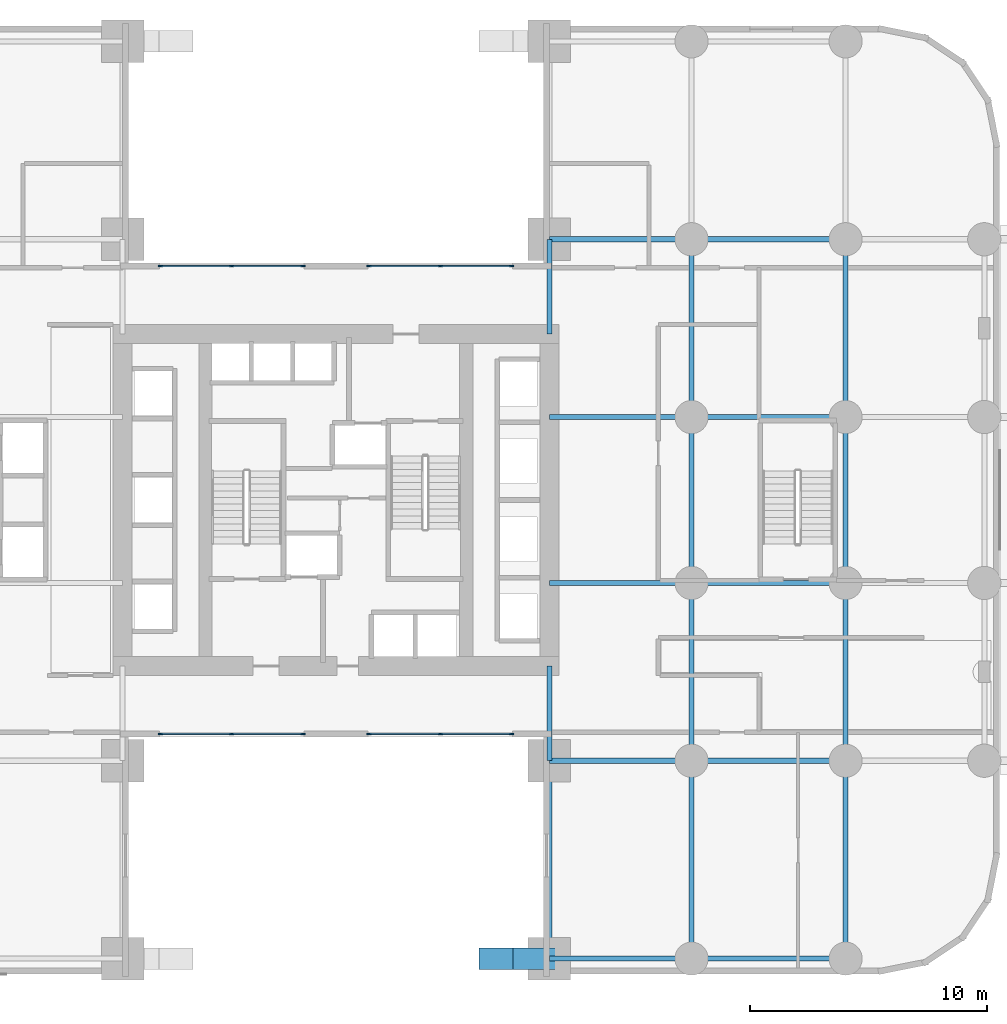
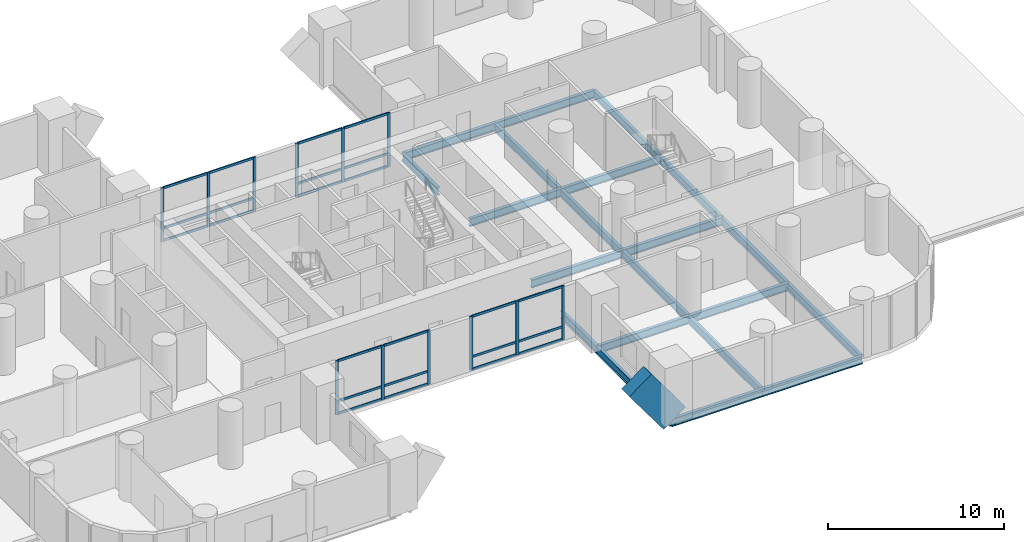
# One storey, part 2 of 8: 37 members, 21 beams, 4 elements without a shape of their own.
"""IFC4 building model written with IfcOpenShell, lengths in metres."""

from ifc_helpers import new_model, si_unit, direction, frame, origin, origin_2d, place, context, subcontext, project, spatial, rectangle, i_section, extrude, material, material_profile, profile_set, type_object, element, aggregate, save


model = new_model("IFC4")

# Units and contexts
model_context = context("Model", 3, precision=1e-05, world=origin(), true_north=direction((0.0, 1.0)))
body_context = subcontext(model_context, "Body", "Model", "MODEL_VIEW")
ifc_project = project(units=[si_unit("LENGTHUNIT", "METRE"), si_unit("AREAUNIT", "SQUARE_METRE"), si_unit("VOLUMEUNIT", "CUBIC_METRE"), si_unit("PLANEANGLEUNIT", "RADIAN"), si_unit("MASSUNIT", "GRAM", prefix="KILO")], contexts=[model_context])

# Site, building, storey
site_placement = place(None, origin())
site = spatial("IfcSite", under=ifc_project, at=site_placement, CompositionType="ELEMENT")
building_placement = place(site_placement, origin())
building = spatial("IfcBuilding", under=site, at=building_placement, Name="Veldorim Arch Residences", CompositionType="ELEMENT")
storey_placement = place(building_placement, frame((0.0, 0.0, 4.0)))
storey = spatial("IfcBuildingStorey", under=building, at=storey_placement, Name="L01", CompositionType="ELEMENT", Elevation=4.0)

# Member
ifc_material_1 = material(Name="Concrete C60/75", Category="concrete")
ifc_material_profile_1 = material_profile(ifc_material_1, rectangle(XDim=0.89990234375, YDim=1.800048828125, at=origin_2d()), Name="RC_RECT_900x1800")
ifc_profile_set_1 = profile_set([ifc_material_profile_1], Name="Concrete C60/75")
member_type_1 = type_object("IfcMemberType", Name="Giant Podium Arch Parabolic Rib 900x1800", PredefinedType="STRUT", material=ifc_profile_set_1)
member_1_placement = place(storey_placement, frame((38.75, 4.64990234375, 3.0625), z_axis=(0.592076433961, 0.0, -0.805881812891), x_axis=(0.0, 1.0, 0.0)))
element("IfcMember", 1, at=member_1_placement, inside=storey, type_object=member_type_1, Name="Giant Podium Arch S parabolic rib segment 8", PredefinedType="STRUT", context=body_context, shape_type="SweptSolid", body=[
    extrude(rectangle(XDim=0.89990234375, YDim=1.800048828125, at=origin_2d()), origin(), (0.0, 0.0, 1.0), 3.80029296875),
])

# Curtain wall, members
ifc_material_2 = material(Name="Aluminium", Category="aluminium")
curtain_wall_type = type_object("IfcCurtainWallType", Name="Podium Clinic Double-Glazed Curtain Wall", PredefinedType="NOTDEFINED", material=ifc_material_2)
curtain_wall_1_placement = place(storey_placement, origin())
curtain_wall_1 = element("IfcCurtainWall", 2, at=curtain_wall_1_placement, inside=storey, type_object=curtain_wall_type, Name="L01 polyclinic curtain wall 11-1", PredefinedType="NOTDEFINED")
ifc_material_3 = material(Name="Aluminium", Category="aluminium")
ifc_material_profile_2 = material_profile(ifc_material_3, rectangle(XDim=0.074951171875, YDim=0.18994140625, at=origin_2d()), Name="ALU_MUL_75x190")
ifc_profile_set_2 = profile_set([ifc_material_profile_2], Name="Aluminium")
member_type_2 = type_object("IfcMemberType", Name="Podium Clinic Double-Glazed Curtain Wall Mullion 75x190", PredefinedType="MULLION", material=ifc_profile_set_2)
member_2_placement = place(storey_placement, frame((39.41259765625, 14.125, 0.0), z_axis=(0.0, 0.0, 1.0), x_axis=(0.0, -1.0, 0.0)))
member_2 = element("IfcMember", 3, at=member_2_placement, type_object=member_type_2, Name="CW-POD mullion 1", PredefinedType="MULLION", context=body_context, shape_type="SweptSolid", body=[
    extrude(rectangle(XDim=0.074951171875, YDim=0.18994140625, at=origin_2d()), origin(), (0.0, 0.0, 1.0), 3.719970703125),
])
member_3_placement = place(storey_placement, frame((36.39990234375, 14.125, 0.0), z_axis=(0.0, 0.0, 1.0), x_axis=(0.0, -1.0, 0.0)))
member_3 = element("IfcMember", 4, at=member_3_placement, type_object=member_type_2, Name="CW-POD mullion 2", PredefinedType="MULLION", context=body_context, shape_type="SweptSolid", body=[
    extrude(rectangle(XDim=0.074951171875, YDim=0.18994140625, at=origin_2d()), origin(), (0.0, 0.0, 1.0), 3.719970703125),
])
member_4_placement = place(storey_placement, frame((33.387451171875, 14.125, 0.0), z_axis=(0.0, 0.0, 1.0), x_axis=(0.0, -1.0, 0.0)))
member_4 = element("IfcMember", 5, at=member_4_placement, type_object=member_type_2, Name="CW-POD mullion 3", PredefinedType="MULLION", context=body_context, shape_type="SweptSolid", body=[
    extrude(rectangle(XDim=0.074951171875, YDim=0.18994140625, at=origin_2d()), origin(), (0.0, 0.0, 1.0), 3.719970703125),
])

curtain_wall_2_placement = place(storey_placement, origin())
curtain_wall_2 = element("IfcCurtainWall", 6, at=curtain_wall_2_placement, inside=storey, type_object=curtain_wall_type, Name="L01 polyclinic curtain wall 11-2", PredefinedType="NOTDEFINED")
member_5_placement = place(storey_placement, frame((30.612548828125, 14.125, 0.0), z_axis=(0.0, 0.0, 1.0), x_axis=(0.0, -1.0, 0.0)))
member_5 = element("IfcMember", 7, at=member_5_placement, type_object=member_type_2, Name="CW-POD mullion 1", PredefinedType="MULLION", context=body_context, shape_type="SweptSolid", body=[
    extrude(rectangle(XDim=0.074951171875, YDim=0.18994140625, at=origin_2d()), origin(), (0.0, 0.0, 1.0), 3.719970703125),
])
member_6_placement = place(storey_placement, frame((27.60009765625, 14.125, 0.0), z_axis=(0.0, 0.0, 1.0), x_axis=(0.0, -1.0, 0.0)))
member_6 = element("IfcMember", 8, at=member_6_placement, type_object=member_type_2, Name="CW-POD mullion 2", PredefinedType="MULLION", context=body_context, shape_type="SweptSolid", body=[
    extrude(rectangle(XDim=0.074951171875, YDim=0.18994140625, at=origin_2d()), origin(), (0.0, 0.0, 1.0), 3.719970703125),
])
member_7_placement = place(storey_placement, frame((24.58740234375, 14.125, 0.0), z_axis=(0.0, 0.0, 1.0), x_axis=(0.0, -1.0, 0.0)))
member_7 = element("IfcMember", 9, at=member_7_placement, type_object=member_type_2, Name="CW-POD mullion 3", PredefinedType="MULLION", context=body_context, shape_type="SweptSolid", body=[
    extrude(rectangle(XDim=0.074951171875, YDim=0.18994140625, at=origin_2d()), origin(), (0.0, 0.0, 1.0), 3.719970703125),
])

curtain_wall_3_placement = place(storey_placement, origin())
curtain_wall_3 = element("IfcCurtainWall", 10, at=curtain_wall_3_placement, inside=storey, type_object=curtain_wall_type, Name="L01 polyclinic curtain wall 25-1", PredefinedType="NOTDEFINED")
member_8_placement = place(storey_placement, frame((24.58740234375, 33.875, 0.0), z_axis=(0.0, 0.0, 1.0), x_axis=(0.0, 1.0, 0.0)))
member_8 = element("IfcMember", 11, at=member_8_placement, type_object=member_type_2, Name="CW-POD mullion 1", PredefinedType="MULLION", context=body_context, shape_type="SweptSolid", body=[
    extrude(rectangle(XDim=0.074951171875, YDim=0.18994140625, at=origin_2d()), origin(), (0.0, 0.0, 1.0), 3.719970703125),
])
member_9_placement = place(storey_placement, frame((27.60009765625, 33.875, 0.0), z_axis=(0.0, 0.0, 1.0), x_axis=(0.0, 1.0, 0.0)))
member_9 = element("IfcMember", 12, at=member_9_placement, type_object=member_type_2, Name="CW-POD mullion 2", PredefinedType="MULLION", context=body_context, shape_type="SweptSolid", body=[
    extrude(rectangle(XDim=0.074951171875, YDim=0.18994140625, at=origin_2d()), origin(), (0.0, 0.0, 1.0), 3.719970703125),
])
member_10_placement = place(storey_placement, frame((30.612548828125, 33.875, 0.0), z_axis=(0.0, 0.0, 1.0), x_axis=(0.0, 1.0, 0.0)))
member_10 = element("IfcMember", 13, at=member_10_placement, type_object=member_type_2, Name="CW-POD mullion 3", PredefinedType="MULLION", context=body_context, shape_type="SweptSolid", body=[
    extrude(rectangle(XDim=0.074951171875, YDim=0.18994140625, at=origin_2d()), origin(), (0.0, 0.0, 1.0), 3.719970703125),
])

curtain_wall_4_placement = place(storey_placement, origin())
curtain_wall_4 = element("IfcCurtainWall", 14, at=curtain_wall_4_placement, inside=storey, type_object=curtain_wall_type, Name="L01 polyclinic curtain wall 25-2", PredefinedType="NOTDEFINED")
member_11_placement = place(storey_placement, frame((33.387451171875, 33.875, 0.0), z_axis=(0.0, 0.0, 1.0), x_axis=(0.0, 1.0, 0.0)))
member_11 = element("IfcMember", 15, at=member_11_placement, type_object=member_type_2, Name="CW-POD mullion 1", PredefinedType="MULLION", context=body_context, shape_type="SweptSolid", body=[
    extrude(rectangle(XDim=0.074951171875, YDim=0.18994140625, at=origin_2d()), origin(), (0.0, 0.0, 1.0), 3.719970703125),
])
member_12_placement = place(storey_placement, frame((36.39990234375, 33.875, 0.0), z_axis=(0.0, 0.0, 1.0), x_axis=(0.0, 1.0, 0.0)))
member_12 = element("IfcMember", 16, at=member_12_placement, type_object=member_type_2, Name="CW-POD mullion 2", PredefinedType="MULLION", context=body_context, shape_type="SweptSolid", body=[
    extrude(rectangle(XDim=0.074951171875, YDim=0.18994140625, at=origin_2d()), origin(), (0.0, 0.0, 1.0), 3.719970703125),
])
member_13_placement = place(storey_placement, frame((39.41259765625, 33.875, 0.0), z_axis=(0.0, 0.0, 1.0), x_axis=(0.0, 1.0, 0.0)))
member_13 = element("IfcMember", 17, at=member_13_placement, type_object=member_type_2, Name="CW-POD mullion 3", PredefinedType="MULLION", context=body_context, shape_type="SweptSolid", body=[
    extrude(rectangle(XDim=0.074951171875, YDim=0.18994140625, at=origin_2d()), origin(), (0.0, 0.0, 1.0), 3.719970703125),
])

# Member
ifc_material_4 = material(Name="Aluminium", Category="aluminium")
ifc_material_profile_3 = material_profile(ifc_material_4, rectangle(XDim=0.074951171875, YDim=0.159912109375, at=origin_2d()), Name="ALU_TRN_75x160")
ifc_profile_set_3 = profile_set([ifc_material_profile_3], Name="Aluminium")
member_type_3 = type_object("IfcMemberType", Name="Podium Clinic Double-Glazed Curtain Wall Transom 75x160", PredefinedType="USERDEFINED", material=ifc_profile_set_3)
member_14_placement = place(storey_placement, frame((39.375, 14.125, 0.03759765625), z_axis=(-1.0, 0.0, 0.0), x_axis=(0.0, -1.0, 0.0)))
member_14 = element("IfcMember", 18, at=member_14_placement, type_object=member_type_3, Name="CW-POD transom 1.1", ObjectType="TRANSOM", PredefinedType="USERDEFINED", context=body_context, shape_type="SweptSolid", body=[
    extrude(rectangle(XDim=0.074951171875, YDim=0.159912109375, at=origin_2d()), origin(), (0.0, 0.0, 1.0), 2.9375),
])

member_15_placement = place(storey_placement, frame((39.375, 14.125, 0.89990234375), z_axis=(-1.0, 0.0, 0.0), x_axis=(0.0, -1.0, 0.0)))
member_15 = element("IfcMember", 19, at=member_15_placement, type_object=member_type_3, Name="CW-POD transom 1.2", ObjectType="TRANSOM", PredefinedType="USERDEFINED", context=body_context, shape_type="SweptSolid", body=[
    extrude(rectangle(XDim=0.074951171875, YDim=0.159912109375, at=origin_2d()), origin(), (0.0, 0.0, 1.0), 2.9375),
])

member_16_placement = place(storey_placement, frame((39.375, 14.125, 3.6826171875), z_axis=(-1.0, 0.0, 0.0), x_axis=(0.0, -1.0, 0.0)))
member_16 = element("IfcMember", 20, at=member_16_placement, type_object=member_type_3, Name="CW-POD transom 1.3", ObjectType="TRANSOM", PredefinedType="USERDEFINED", context=body_context, shape_type="SweptSolid", body=[
    extrude(rectangle(XDim=0.074951171875, YDim=0.159912109375, at=origin_2d()), origin(), (0.0, 0.0, 1.0), 2.9375),
])

member_17_placement = place(storey_placement, frame((36.362548828125, 14.125, 0.03759765625), z_axis=(-1.0, 0.0, 0.0), x_axis=(0.0, -1.0, 0.0)))
member_17 = element("IfcMember", 21, at=member_17_placement, type_object=member_type_3, Name="CW-POD transom 2.1", ObjectType="TRANSOM", PredefinedType="USERDEFINED", context=body_context, shape_type="SweptSolid", body=[
    extrude(rectangle(XDim=0.074951171875, YDim=0.159912109375, at=origin_2d()), origin(), (0.0, 0.0, 1.0), 2.9375),
])

member_18_placement = place(storey_placement, frame((36.362548828125, 14.125, 0.89990234375), z_axis=(-1.0, 0.0, 0.0), x_axis=(0.0, -1.0, 0.0)))
member_18 = element("IfcMember", 22, at=member_18_placement, type_object=member_type_3, Name="CW-POD transom 2.2", ObjectType="TRANSOM", PredefinedType="USERDEFINED", context=body_context, shape_type="SweptSolid", body=[
    extrude(rectangle(XDim=0.074951171875, YDim=0.159912109375, at=origin_2d()), origin(), (0.0, 0.0, 1.0), 2.9375),
])

member_19_placement = place(storey_placement, frame((36.362548828125, 14.125, 3.6826171875), z_axis=(-1.0, 0.0, 0.0), x_axis=(0.0, -1.0, 0.0)))
member_19 = element("IfcMember", 23, at=member_19_placement, type_object=member_type_3, Name="CW-POD transom 2.3", ObjectType="TRANSOM", PredefinedType="USERDEFINED", context=body_context, shape_type="SweptSolid", body=[
    extrude(rectangle(XDim=0.074951171875, YDim=0.159912109375, at=origin_2d()), origin(), (0.0, 0.0, 1.0), 2.9375),
])

aggregate(curtain_wall_1, [member_2, member_3, member_4, member_14, member_15, member_16, member_17, member_18, member_19])

member_20_placement = place(storey_placement, frame((30.574951171875, 14.125, 0.03759765625), z_axis=(-1.0, 0.0, 0.0), x_axis=(0.0, -1.0, 0.0)))
member_20 = element("IfcMember", 24, at=member_20_placement, type_object=member_type_3, Name="CW-POD transom 1.1", ObjectType="TRANSOM", PredefinedType="USERDEFINED", context=body_context, shape_type="SweptSolid", body=[
    extrude(rectangle(XDim=0.074951171875, YDim=0.159912109375, at=origin_2d()), origin(), (0.0, 0.0, 1.0), 2.9375),
])

member_21_placement = place(storey_placement, frame((30.574951171875, 14.125, 0.89990234375), z_axis=(-1.0, 0.0, 0.0), x_axis=(0.0, -1.0, 0.0)))
member_21 = element("IfcMember", 25, at=member_21_placement, type_object=member_type_3, Name="CW-POD transom 1.2", ObjectType="TRANSOM", PredefinedType="USERDEFINED", context=body_context, shape_type="SweptSolid", body=[
    extrude(rectangle(XDim=0.074951171875, YDim=0.159912109375, at=origin_2d()), origin(), (0.0, 0.0, 1.0), 2.9375),
])

member_22_placement = place(storey_placement, frame((30.574951171875, 14.125, 3.6826171875), z_axis=(-1.0, 0.0, 0.0), x_axis=(0.0, -1.0, 0.0)))
member_22 = element("IfcMember", 26, at=member_22_placement, type_object=member_type_3, Name="CW-POD transom 1.3", ObjectType="TRANSOM", PredefinedType="USERDEFINED", context=body_context, shape_type="SweptSolid", body=[
    extrude(rectangle(XDim=0.074951171875, YDim=0.159912109375, at=origin_2d()), origin(), (0.0, 0.0, 1.0), 2.9375),
])

member_23_placement = place(storey_placement, frame((27.5625, 14.125, 0.03759765625), z_axis=(-1.0, 0.0, 0.0), x_axis=(0.0, -1.0, 0.0)))
member_23 = element("IfcMember", 27, at=member_23_placement, type_object=member_type_3, Name="CW-POD transom 2.1", ObjectType="TRANSOM", PredefinedType="USERDEFINED", context=body_context, shape_type="SweptSolid", body=[
    extrude(rectangle(XDim=0.074951171875, YDim=0.159912109375, at=origin_2d()), origin(), (0.0, 0.0, 1.0), 2.9375),
])

member_24_placement = place(storey_placement, frame((27.5625, 14.125, 0.89990234375), z_axis=(-1.0, 0.0, 0.0), x_axis=(0.0, -1.0, 0.0)))
member_24 = element("IfcMember", 28, at=member_24_placement, type_object=member_type_3, Name="CW-POD transom 2.2", ObjectType="TRANSOM", PredefinedType="USERDEFINED", context=body_context, shape_type="SweptSolid", body=[
    extrude(rectangle(XDim=0.074951171875, YDim=0.159912109375, at=origin_2d()), origin(), (0.0, 0.0, 1.0), 2.9375),
])

member_25_placement = place(storey_placement, frame((27.5625, 14.125, 3.6826171875), z_axis=(-1.0, 0.0, 0.0), x_axis=(0.0, -1.0, 0.0)))
member_25 = element("IfcMember", 29, at=member_25_placement, type_object=member_type_3, Name="CW-POD transom 2.3", ObjectType="TRANSOM", PredefinedType="USERDEFINED", context=body_context, shape_type="SweptSolid", body=[
    extrude(rectangle(XDim=0.074951171875, YDim=0.159912109375, at=origin_2d()), origin(), (0.0, 0.0, 1.0), 2.9375),
])

aggregate(curtain_wall_2, [member_5, member_6, member_7, member_20, member_21, member_22, member_23, member_24, member_25])

member_26_placement = place(storey_placement, frame((24.625, 33.875, 0.03759765625), z_axis=(1.0, 0.0, 0.0), x_axis=(0.0, 1.0, 0.0)))
member_26 = element("IfcMember", 30, at=member_26_placement, type_object=member_type_3, Name="CW-POD transom 1.1", ObjectType="TRANSOM", PredefinedType="USERDEFINED", context=body_context, shape_type="SweptSolid", body=[
    extrude(rectangle(XDim=0.074951171875, YDim=0.159912109375, at=origin_2d()), origin(), (0.0, 0.0, 1.0), 2.9375),
])

member_27_placement = place(storey_placement, frame((24.625, 33.875, 0.89990234375), z_axis=(1.0, 0.0, 0.0), x_axis=(0.0, 1.0, 0.0)))
member_27 = element("IfcMember", 31, at=member_27_placement, type_object=member_type_3, Name="CW-POD transom 1.2", ObjectType="TRANSOM", PredefinedType="USERDEFINED", context=body_context, shape_type="SweptSolid", body=[
    extrude(rectangle(XDim=0.074951171875, YDim=0.159912109375, at=origin_2d()), origin(), (0.0, 0.0, 1.0), 2.9375),
])

member_28_placement = place(storey_placement, frame((24.625, 33.875, 3.6826171875), z_axis=(1.0, 0.0, 0.0), x_axis=(0.0, 1.0, 0.0)))
member_28 = element("IfcMember", 32, at=member_28_placement, type_object=member_type_3, Name="CW-POD transom 1.3", ObjectType="TRANSOM", PredefinedType="USERDEFINED", context=body_context, shape_type="SweptSolid", body=[
    extrude(rectangle(XDim=0.074951171875, YDim=0.159912109375, at=origin_2d()), origin(), (0.0, 0.0, 1.0), 2.9375),
])

member_29_placement = place(storey_placement, frame((27.637451171875, 33.875, 0.03759765625), z_axis=(1.0, 0.0, 0.0), x_axis=(0.0, 1.0, 0.0)))
member_29 = element("IfcMember", 33, at=member_29_placement, type_object=member_type_3, Name="CW-POD transom 2.1", ObjectType="TRANSOM", PredefinedType="USERDEFINED", context=body_context, shape_type="SweptSolid", body=[
    extrude(rectangle(XDim=0.074951171875, YDim=0.159912109375, at=origin_2d()), origin(), (0.0, 0.0, 1.0), 2.9375),
])

member_30_placement = place(storey_placement, frame((27.637451171875, 33.875, 0.89990234375), z_axis=(1.0, 0.0, 0.0), x_axis=(0.0, 1.0, 0.0)))
member_30 = element("IfcMember", 34, at=member_30_placement, type_object=member_type_3, Name="CW-POD transom 2.2", ObjectType="TRANSOM", PredefinedType="USERDEFINED", context=body_context, shape_type="SweptSolid", body=[
    extrude(rectangle(XDim=0.074951171875, YDim=0.159912109375, at=origin_2d()), origin(), (0.0, 0.0, 1.0), 2.9375),
])

member_31_placement = place(storey_placement, frame((27.637451171875, 33.875, 3.6826171875), z_axis=(1.0, 0.0, 0.0), x_axis=(0.0, 1.0, 0.0)))
member_31 = element("IfcMember", 35, at=member_31_placement, type_object=member_type_3, Name="CW-POD transom 2.3", ObjectType="TRANSOM", PredefinedType="USERDEFINED", context=body_context, shape_type="SweptSolid", body=[
    extrude(rectangle(XDim=0.074951171875, YDim=0.159912109375, at=origin_2d()), origin(), (0.0, 0.0, 1.0), 2.9375),
])

aggregate(curtain_wall_3, [member_8, member_9, member_10, member_26, member_27, member_28, member_29, member_30, member_31])

member_32_placement = place(storey_placement, frame((33.425048828125, 33.875, 0.03759765625), z_axis=(1.0, 0.0, 0.0), x_axis=(0.0, 1.0, 0.0)))
member_32 = element("IfcMember", 36, at=member_32_placement, type_object=member_type_3, Name="CW-POD transom 1.1", ObjectType="TRANSOM", PredefinedType="USERDEFINED", context=body_context, shape_type="SweptSolid", body=[
    extrude(rectangle(XDim=0.074951171875, YDim=0.159912109375, at=origin_2d()), origin(), (0.0, 0.0, 1.0), 2.9375),
])

member_33_placement = place(storey_placement, frame((33.425048828125, 33.875, 0.89990234375), z_axis=(1.0, 0.0, 0.0), x_axis=(0.0, 1.0, 0.0)))
member_33 = element("IfcMember", 37, at=member_33_placement, type_object=member_type_3, Name="CW-POD transom 1.2", ObjectType="TRANSOM", PredefinedType="USERDEFINED", context=body_context, shape_type="SweptSolid", body=[
    extrude(rectangle(XDim=0.074951171875, YDim=0.159912109375, at=origin_2d()), origin(), (0.0, 0.0, 1.0), 2.9375),
])

member_34_placement = place(storey_placement, frame((33.425048828125, 33.875, 3.6826171875), z_axis=(1.0, 0.0, 0.0), x_axis=(0.0, 1.0, 0.0)))
member_34 = element("IfcMember", 38, at=member_34_placement, type_object=member_type_3, Name="CW-POD transom 1.3", ObjectType="TRANSOM", PredefinedType="USERDEFINED", context=body_context, shape_type="SweptSolid", body=[
    extrude(rectangle(XDim=0.074951171875, YDim=0.159912109375, at=origin_2d()), origin(), (0.0, 0.0, 1.0), 2.9375),
])

member_35_placement = place(storey_placement, frame((36.4375, 33.875, 0.03759765625), z_axis=(1.0, 0.0, 0.0), x_axis=(0.0, 1.0, 0.0)))
member_35 = element("IfcMember", 39, at=member_35_placement, type_object=member_type_3, Name="CW-POD transom 2.1", ObjectType="TRANSOM", PredefinedType="USERDEFINED", context=body_context, shape_type="SweptSolid", body=[
    extrude(rectangle(XDim=0.074951171875, YDim=0.159912109375, at=origin_2d()), origin(), (0.0, 0.0, 1.0), 2.9375),
])

member_36_placement = place(storey_placement, frame((36.4375, 33.875, 0.89990234375), z_axis=(1.0, 0.0, 0.0), x_axis=(0.0, 1.0, 0.0)))
member_36 = element("IfcMember", 40, at=member_36_placement, type_object=member_type_3, Name="CW-POD transom 2.2", ObjectType="TRANSOM", PredefinedType="USERDEFINED", context=body_context, shape_type="SweptSolid", body=[
    extrude(rectangle(XDim=0.074951171875, YDim=0.159912109375, at=origin_2d()), origin(), (0.0, 0.0, 1.0), 2.9375),
])

member_37_placement = place(storey_placement, frame((36.4375, 33.875, 3.6826171875), z_axis=(1.0, 0.0, 0.0), x_axis=(0.0, 1.0, 0.0)))
member_37 = element("IfcMember", 41, at=member_37_placement, type_object=member_type_3, Name="CW-POD transom 2.3", ObjectType="TRANSOM", PredefinedType="USERDEFINED", context=body_context, shape_type="SweptSolid", body=[
    extrude(rectangle(XDim=0.074951171875, YDim=0.159912109375, at=origin_2d()), origin(), (0.0, 0.0, 1.0), 2.9375),
])

aggregate(curtain_wall_4, [member_11, member_12, member_13, member_32, member_33, member_34, member_35, member_36, member_37])

# Beams
ifc_material_5 = material(Name="Steel S355", Category="steel")
ifc_material_profile_4 = material_profile(ifc_material_5, i_section(OverallWidth=0.2099609375, OverallDepth=0.53662109375, WebThickness=0.0107421875, FlangeThickness=0.017333984375, at=origin_2d()), Name="UB533x210x101")
ifc_profile_set_4 = profile_set([ifc_material_profile_4], Name="Steel S355")
beam_type_1 = type_object("IfcBeamType", Name="Structural Steel Beam UB533x210x101", PredefinedType="BEAM", material=ifc_profile_set_4)
beam_1_placement = place(storey_placement, frame((41.0, 4.64990234375, -0.54833984375), z_axis=(0.0, 1.0, 0.0), x_axis=(-1.0, 0.0, 0.0)))
element("IfcBeam", 42, at=beam_1_placement, inside=storey, type_object=beam_type_1, Name="L01 north-south floor beam (X=41.0, 4.7-13.0)", PredefinedType="BEAM", context=body_context, shape_type="SweptSolid", body=[
    extrude(i_section(OverallWidth=0.2099609375, OverallDepth=0.53662109375, WebThickness=0.0107421875, FlangeThickness=0.017333984375, at=origin_2d()), origin(), (0.0, 0.0, 1.0), 8.35009765625),
])
for number, where, z_axis, x_axis, name in (
    (43, (41.0, 13.0, -0.54833984375), (0.0, 1.0, 0.0), (-1.0, 0.0, 0.0), "L01 north-south floor beam (X=41.0, 13.0-17.0)"),
    (44, (41.0, 31.0, -0.54833984375), (0.0, 1.0, 0.0), (-1.0, 0.0, 0.0), "L01 north-south floor beam (X=41.0, 31.0-35.0)"),
):
    element("IfcBeam", number, at=place(storey_placement, frame(where, z_axis=z_axis, x_axis=x_axis)), inside=storey, type_object=beam_type_1, Name=name, PredefinedType="BEAM", context=body_context, shape_type="SweptSolid", body=[
        extrude(i_section(OverallWidth=0.2099609375, OverallDepth=0.53662109375, WebThickness=0.0107421875, FlangeThickness=0.017333984375, at=origin_2d()), origin(), (0.0, 0.0, 1.0), 4.0),
    ])
beam_2_placement = place(storey_placement, frame((47.0, 4.64990234375, -0.54833984375), z_axis=(0.0, 1.0, 0.0), x_axis=(-1.0, 0.0, 0.0)))
element("IfcBeam", 45, at=beam_2_placement, inside=storey, type_object=beam_type_1, Name="L01 north-south floor beam (X=47.0, 4.7-13.0)", PredefinedType="BEAM", context=body_context, shape_type="SweptSolid", body=[
    extrude(i_section(OverallWidth=0.2099609375, OverallDepth=0.53662109375, WebThickness=0.0107421875, FlangeThickness=0.017333984375, at=origin_2d()), origin(), (0.0, 0.0, 1.0), 8.35009765625),
])
beam_3_placement = place(storey_placement, frame((47.0, 13.0, -0.54833984375), z_axis=(0.0, 1.0, 0.0), x_axis=(-1.0, 0.0, 0.0)))
element("IfcBeam", 46, at=beam_3_placement, inside=storey, type_object=beam_type_1, Name="L01 north-south floor beam (X=47.0, 13.0-20.5)", PredefinedType="BEAM", context=body_context, shape_type="SweptSolid", body=[
    extrude(i_section(OverallWidth=0.2099609375, OverallDepth=0.53662109375, WebThickness=0.0107421875, FlangeThickness=0.017333984375, at=origin_2d()), origin(), (0.0, 0.0, 1.0), 7.5),
])
beam_4_placement = place(storey_placement, frame((47.0, 20.5, -0.54833984375), z_axis=(0.0, 1.0, 0.0), x_axis=(-1.0, 0.0, 0.0)))
element("IfcBeam", 47, at=beam_4_placement, inside=storey, type_object=beam_type_1, Name="L01 north-south floor beam (X=47.0, 20.5-27.5)", PredefinedType="BEAM", context=body_context, shape_type="SweptSolid", body=[
    extrude(i_section(OverallWidth=0.2099609375, OverallDepth=0.53662109375, WebThickness=0.0107421875, FlangeThickness=0.017333984375, at=origin_2d()), origin(), (0.0, 0.0, 1.0), 7.0),
])
beam_5_placement = place(storey_placement, frame((47.0, 27.5, -0.54833984375), z_axis=(0.0, 1.0, 0.0), x_axis=(-1.0, 0.0, 0.0)))
element("IfcBeam", 48, at=beam_5_placement, inside=storey, type_object=beam_type_1, Name="L01 north-south floor beam (X=47.0, 27.5-35.0)", PredefinedType="BEAM", context=body_context, shape_type="SweptSolid", body=[
    extrude(i_section(OverallWidth=0.2099609375, OverallDepth=0.53662109375, WebThickness=0.0107421875, FlangeThickness=0.017333984375, at=origin_2d()), origin(), (0.0, 0.0, 1.0), 7.5),
])
beam_6_placement = place(storey_placement, frame((53.5, 4.64990234375, -0.54833984375), z_axis=(0.0, 1.0, 0.0), x_axis=(-1.0, 0.0, 0.0)))
element("IfcBeam", 49, at=beam_6_placement, inside=storey, type_object=beam_type_1, Name="L01 north-south floor beam (X=53.5, 4.7-13.0)", PredefinedType="BEAM", context=body_context, shape_type="SweptSolid", body=[
    extrude(i_section(OverallWidth=0.2099609375, OverallDepth=0.53662109375, WebThickness=0.0107421875, FlangeThickness=0.017333984375, at=origin_2d()), origin(), (0.0, 0.0, 1.0), 8.35009765625),
])
beam_7_placement = place(storey_placement, frame((53.5, 13.0, -0.54833984375), z_axis=(0.0, 1.0, 0.0), x_axis=(-1.0, 0.0, 0.0)))
element("IfcBeam", 50, at=beam_7_placement, inside=storey, type_object=beam_type_1, Name="L01 north-south floor beam (X=53.5, 13.0-20.5)", PredefinedType="BEAM", context=body_context, shape_type="SweptSolid", body=[
    extrude(i_section(OverallWidth=0.2099609375, OverallDepth=0.53662109375, WebThickness=0.0107421875, FlangeThickness=0.017333984375, at=origin_2d()), origin(), (0.0, 0.0, 1.0), 7.5),
])
beam_8_placement = place(storey_placement, frame((53.5, 20.5, -0.54833984375), z_axis=(0.0, 1.0, 0.0), x_axis=(-1.0, 0.0, 0.0)))
element("IfcBeam", 51, at=beam_8_placement, inside=storey, type_object=beam_type_1, Name="L01 north-south floor beam (X=53.5, 20.5-27.5)", PredefinedType="BEAM", context=body_context, shape_type="SweptSolid", body=[
    extrude(i_section(OverallWidth=0.2099609375, OverallDepth=0.53662109375, WebThickness=0.0107421875, FlangeThickness=0.017333984375, at=origin_2d()), origin(), (0.0, 0.0, 1.0), 7.0),
])
beam_9_placement = place(storey_placement, frame((53.5, 27.5, -0.54833984375), z_axis=(0.0, 1.0, 0.0), x_axis=(-1.0, 0.0, 0.0)))
element("IfcBeam", 52, at=beam_9_placement, inside=storey, type_object=beam_type_1, Name="L01 north-south floor beam (X=53.5, 27.5-35.0)", PredefinedType="BEAM", context=body_context, shape_type="SweptSolid", body=[
    extrude(i_section(OverallWidth=0.2099609375, OverallDepth=0.53662109375, WebThickness=0.0107421875, FlangeThickness=0.017333984375, at=origin_2d()), origin(), (0.0, 0.0, 1.0), 7.5),
])
ifc_material_6 = material(Name="Steel S355", Category="steel")
ifc_material_profile_5 = material_profile(ifc_material_6, i_section(OverallWidth=0.2119140625, OverallDepth=0.54443359375, WebThickness=0.0126953125, FlangeThickness=0.021240234375, at=origin_2d()), Name="UB533x210x122")
ifc_profile_set_5 = profile_set([ifc_material_profile_5], Name="Steel S355")
beam_type_2 = type_object("IfcBeamType", Name="Structural Steel Beam UB533x210x122", PredefinedType="BEAM", material=ifc_profile_set_5)
beam_10_placement = place(storey_placement, frame((41.0, 4.64990234375, -0.55224609375), z_axis=(1.0, 0.0, 0.0), x_axis=(0.0, 1.0, 0.0)))
element("IfcBeam", 53, at=beam_10_placement, inside=storey, type_object=beam_type_2, Name="L01 east-west floor beam (41.0-47.0, Y=4.7)", PredefinedType="BEAM", context=body_context, shape_type="SweptSolid", body=[
    extrude(i_section(OverallWidth=0.2119140625, OverallDepth=0.54443359375, WebThickness=0.0126953125, FlangeThickness=0.021240234375, at=origin_2d()), origin(), (0.0, 0.0, 1.0), 6.0),
])
beam_11_placement = place(storey_placement, frame((47.0, 4.64990234375, -0.55224609375), z_axis=(1.0, 0.0, 0.0), x_axis=(0.0, 1.0, 0.0)))
element("IfcBeam", 54, at=beam_11_placement, inside=storey, type_object=beam_type_2, Name="L01 east-west floor beam (47.0-53.5, Y=4.7)", PredefinedType="BEAM", context=body_context, shape_type="SweptSolid", body=[
    extrude(i_section(OverallWidth=0.2119140625, OverallDepth=0.54443359375, WebThickness=0.0126953125, FlangeThickness=0.021240234375, at=origin_2d()), origin(), (0.0, 0.0, 1.0), 6.5),
])
beam_12_placement = place(storey_placement, frame((41.0, 13.0, -0.55224609375), z_axis=(1.0, 0.0, 0.0), x_axis=(0.0, 1.0, 0.0)))
element("IfcBeam", 55, at=beam_12_placement, inside=storey, type_object=beam_type_2, Name="L01 east-west floor beam (41.0-47.0, Y=13.0)", PredefinedType="BEAM", context=body_context, shape_type="SweptSolid", body=[
    extrude(i_section(OverallWidth=0.2119140625, OverallDepth=0.54443359375, WebThickness=0.0126953125, FlangeThickness=0.021240234375, at=origin_2d()), origin(), (0.0, 0.0, 1.0), 6.0),
])
beam_13_placement = place(storey_placement, frame((47.0, 13.0, -0.55224609375), z_axis=(1.0, 0.0, 0.0), x_axis=(0.0, 1.0, 0.0)))
element("IfcBeam", 56, at=beam_13_placement, inside=storey, type_object=beam_type_2, Name="L01 east-west floor beam (47.0-53.5, Y=13.0)", PredefinedType="BEAM", context=body_context, shape_type="SweptSolid", body=[
    extrude(i_section(OverallWidth=0.2119140625, OverallDepth=0.54443359375, WebThickness=0.0126953125, FlangeThickness=0.021240234375, at=origin_2d()), origin(), (0.0, 0.0, 1.0), 6.5),
])
beam_14_placement = place(storey_placement, frame((41.0, 20.5, -0.55224609375), z_axis=(1.0, 0.0, 0.0), x_axis=(0.0, 1.0, 0.0)))
element("IfcBeam", 57, at=beam_14_placement, inside=storey, type_object=beam_type_2, Name="L01 east-west floor beam (41.0-47.0, Y=20.5)", PredefinedType="BEAM", context=body_context, shape_type="SweptSolid", body=[
    extrude(i_section(OverallWidth=0.2119140625, OverallDepth=0.54443359375, WebThickness=0.0126953125, FlangeThickness=0.021240234375, at=origin_2d()), origin(), (0.0, 0.0, 1.0), 6.0),
])
beam_15_placement = place(storey_placement, frame((47.0, 20.5, -0.55224609375), z_axis=(1.0, 0.0, 0.0), x_axis=(0.0, 1.0, 0.0)))
element("IfcBeam", 58, at=beam_15_placement, inside=storey, type_object=beam_type_2, Name="L01 east-west floor beam (47.0-53.5, Y=20.5)", PredefinedType="BEAM", context=body_context, shape_type="SweptSolid", body=[
    extrude(i_section(OverallWidth=0.2119140625, OverallDepth=0.54443359375, WebThickness=0.0126953125, FlangeThickness=0.021240234375, at=origin_2d()), origin(), (0.0, 0.0, 1.0), 6.5),
])
beam_16_placement = place(storey_placement, frame((41.0, 27.5, -0.55224609375), z_axis=(1.0, 0.0, 0.0), x_axis=(0.0, 1.0, 0.0)))
element("IfcBeam", 59, at=beam_16_placement, inside=storey, type_object=beam_type_2, Name="L01 east-west floor beam (41.0-47.0, Y=27.5)", PredefinedType="BEAM", context=body_context, shape_type="SweptSolid", body=[
    extrude(i_section(OverallWidth=0.2119140625, OverallDepth=0.54443359375, WebThickness=0.0126953125, FlangeThickness=0.021240234375, at=origin_2d()), origin(), (0.0, 0.0, 1.0), 6.0),
])
beam_17_placement = place(storey_placement, frame((47.0, 27.5, -0.55224609375), z_axis=(1.0, 0.0, 0.0), x_axis=(0.0, 1.0, 0.0)))
element("IfcBeam", 60, at=beam_17_placement, inside=storey, type_object=beam_type_2, Name="L01 east-west floor beam (47.0-53.5, Y=27.5)", PredefinedType="BEAM", context=body_context, shape_type="SweptSolid", body=[
    extrude(i_section(OverallWidth=0.2119140625, OverallDepth=0.54443359375, WebThickness=0.0126953125, FlangeThickness=0.021240234375, at=origin_2d()), origin(), (0.0, 0.0, 1.0), 6.5),
])
beam_18_placement = place(storey_placement, frame((41.0, 35.0, -0.55224609375), z_axis=(1.0, 0.0, 0.0), x_axis=(0.0, 1.0, 0.0)))
element("IfcBeam", 61, at=beam_18_placement, inside=storey, type_object=beam_type_2, Name="L01 east-west floor beam (41.0-47.0, Y=35.0)", PredefinedType="BEAM", context=body_context, shape_type="SweptSolid", body=[
    extrude(i_section(OverallWidth=0.2119140625, OverallDepth=0.54443359375, WebThickness=0.0126953125, FlangeThickness=0.021240234375, at=origin_2d()), origin(), (0.0, 0.0, 1.0), 6.0),
])
beam_19_placement = place(storey_placement, frame((47.0, 35.0, -0.55224609375), z_axis=(1.0, 0.0, 0.0), x_axis=(0.0, 1.0, 0.0)))
element("IfcBeam", 62, at=beam_19_placement, inside=storey, type_object=beam_type_2, Name="L01 east-west floor beam (47.0-53.5, Y=35.0)", PredefinedType="BEAM", context=body_context, shape_type="SweptSolid", body=[
    extrude(i_section(OverallWidth=0.2119140625, OverallDepth=0.54443359375, WebThickness=0.0126953125, FlangeThickness=0.021240234375, at=origin_2d()), origin(), (0.0, 0.0, 1.0), 6.5),
])

save(model, "model.ifc")
